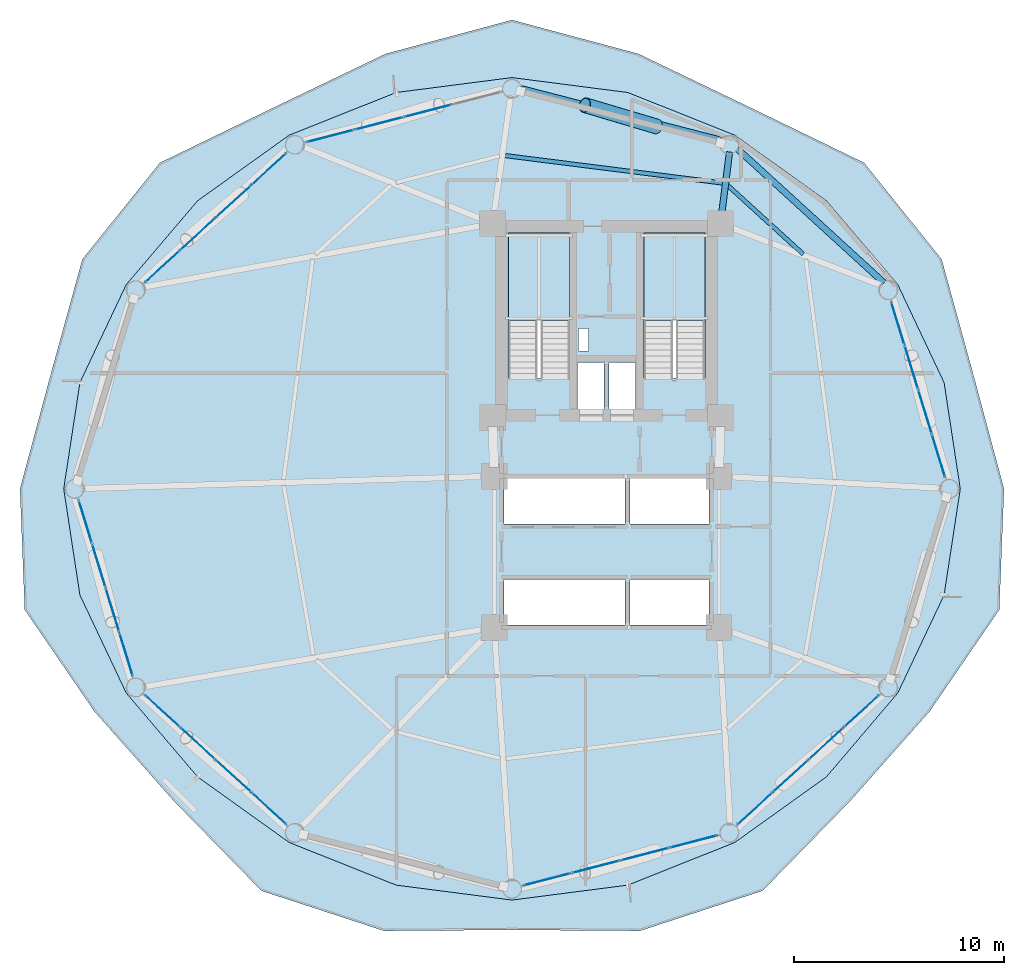
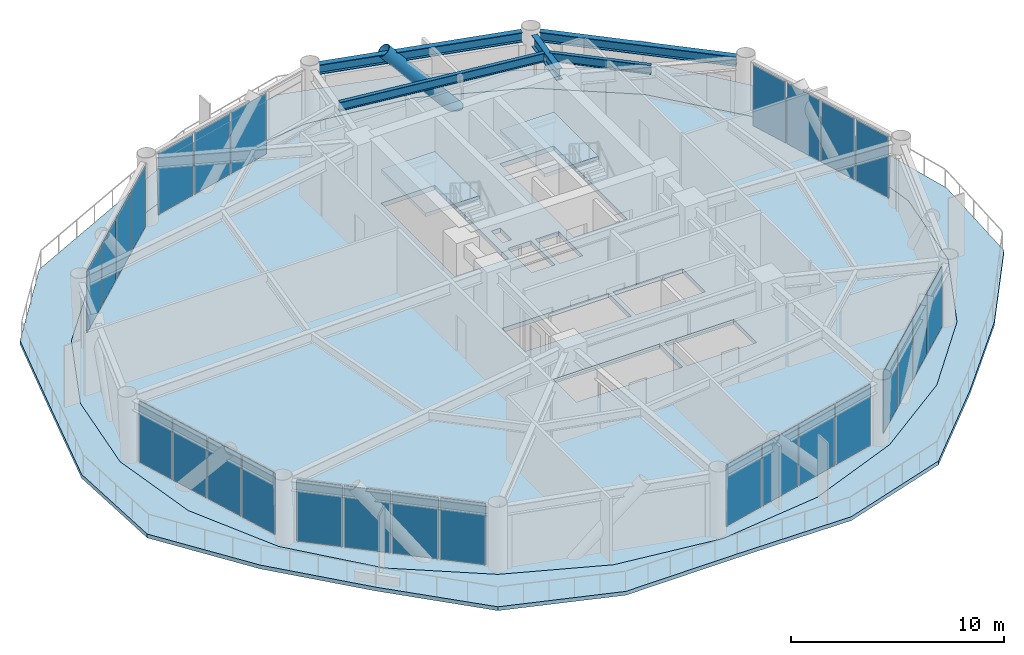
# One storey, part 18 of 24: 27 plates, 5 beams, 4 slabs, 1 member, 9 elements without a shape of their own.
"""IFC4 building model written with IfcOpenShell, lengths in metres."""

import ifcopenshell
import ifcopenshell.guid

model = None  # the IFC model being written
_history = None  # IfcOwnerHistory: only IFC2X3 demands one
_inside = {}  # id of a spatial element -> (the spatial element, [elements in it])
_under = {}  # id of a project, library or spatial element -> (it, [spatial elements below it])
_declared = {}  # id of a project -> (the project, [libraries it declares])
_typed = {}  # id of a type object -> (the type object, [elements of that type])
_made_of = {}  # id of a material, layer set ... -> (it, [elements and type objects made of it])


def new_model(schema):
    """Start an empty IFC model of exactly this schema.

    Asked for "IFC4X3", IfcOpenShell would pick the latest addendum, in which some entities
    have other attributes; the version numbers below select the first issue.
    IFC2X3 requires an IfcOwnerHistory on every rooted entity: one is made here for all.
    """
    global model, _history
    if schema == "IFC4X3":
        model = ifcopenshell.file(schema_version=(4, 3, 0, 0))
    else:
        model = ifcopenshell.file(schema=schema)
    _inside.clear()
    _under.clear()
    _declared.clear()
    _typed.clear()
    _made_of.clear()
    _history = None
    if model.schema == "IFC2X3":
        org = make("IfcOrganization", Name="unknown")
        user = make(
            "IfcPersonAndOrganization",
            ThePerson=make("IfcPerson", FamilyName="unknown"),
            TheOrganization=org,
        )
        app = make(
            "IfcApplication",
            ApplicationDeveloper=org,
            Version="unknown",
            ApplicationFullName="unknown",
            ApplicationIdentifier="unknown",
        )
        _history = make(
            "IfcOwnerHistory",
            OwningUser=user,
            OwningApplication=app,
            ChangeAction="ADDED",
            CreationDate=0,
        )
    return model


def make(cls, **values):
    """One entity of the class cls with the attributes given. An attribute that is None is left unset."""
    return model.create_entity(
        cls, **{name: value for name, value in values.items() if value is not None}
    )


def rooted(cls, **values):
    """An entity with a GlobalId (a new one), such as an element, a storey or a relation."""
    return make(cls, GlobalId=ifcopenshell.guid.new(), OwnerHistory=_history, **values)


def si_unit(unit_type, name, prefix=None):
    """IfcSIUnit, for example si_unit("LENGTHUNIT", "METRE", prefix="MILLI")."""
    return make("IfcSIUnit", UnitType=unit_type, Prefix=prefix, Name=name)


def assignment(units):
    """IfcUnitAssignment: the units of a project."""
    return None if units is None else make("IfcUnitAssignment", Units=units)


def point(xyz):
    """IfcCartesianPoint."""
    return None if xyz is None else make("IfcCartesianPoint", Coordinates=xyz)


def direction(xyz):
    """IfcDirection."""
    return None if xyz is None else make("IfcDirection", DirectionRatios=xyz)


def frame(location, z_axis=None, x_axis=None):
    """IfcAxis2Placement3D, a coordinate frame: its origin and axes. An axis left out is left unset."""
    return make(
        "IfcAxis2Placement3D",
        Location=point(location),
        Axis=direction(z_axis),
        RefDirection=direction(x_axis),
    )


def frame_2d(location, x_axis=None):
    """IfcAxis2Placement2D, a coordinate frame in the plane: its origin and x axis."""
    return make(
        "IfcAxis2Placement2D", Location=point(location), RefDirection=direction(x_axis)
    )


def origin():
    """The frame at (0, 0, 0) with its axes left unset."""
    return frame((0.0, 0.0, 0.0))


def origin_2d():
    """The frame at (0, 0) in the plane with its x axis left unset."""
    return frame_2d((0.0, 0.0))


def place(relative_to, where):
    """IfcLocalPlacement: puts the frame where relative to a parent placement (None: the world)."""
    return make(
        "IfcLocalPlacement", PlacementRelTo=relative_to, RelativePlacement=where
    )


def context(
    kind, dimensions, precision=None, world=None, true_north=None, identifier=None
):
    """IfcGeometricRepresentationContext, for example the 3D "Model" context."""
    return make(
        "IfcGeometricRepresentationContext",
        ContextIdentifier=identifier,
        ContextType=kind,
        CoordinateSpaceDimension=dimensions,
        Precision=precision,
        WorldCoordinateSystem=world,
        TrueNorth=true_north,
    )


def subcontext(parent, identifier, kind, view, scale=None):
    """IfcGeometricRepresentationSubContext, for example "Body" below "Model"."""
    return make(
        "IfcGeometricRepresentationSubContext",
        ContextIdentifier=identifier,
        ContextType=kind,
        ParentContext=parent,
        TargetScale=scale,
        TargetView=view,
    )


def project(units=None, contexts=None):
    """IfcProject with its units and contexts."""
    return rooted(
        "IfcProject",
        Name="project",
        RepresentationContexts=contexts,
        UnitsInContext=assignment(units),
    )


def spatial(cls, under=None, at=None, **own):
    """A site, building, storey or space (cls), placed at a placement, below another one or the project."""
    s = rooted(cls, ObjectPlacement=at, **own)
    if under is not None:
        _under.setdefault(under.id(), (under, []))[1].append(s)
    return s


def polyline(points):
    """IfcPolyline through the points."""
    return make("IfcPolyline", Points=[point(p) for p in points])


def profile(cls, at=None, kind="AREA", **sizes):
    """A parametric profile (cls). Its sizes go by their IFC names, for example OverallWidth=200.0."""
    return make(cls, ProfileType=kind, Position=at, **sizes)


def rectangle(**sizes):
    """IfcRectangleProfileDef."""
    return profile("IfcRectangleProfileDef", **sizes)


def hollow_circle(**sizes):
    """IfcCircleHollowProfileDef."""
    return profile("IfcCircleHollowProfileDef", **sizes)


def i_section(**sizes):
    """IfcIShapeProfileDef."""
    return profile("IfcIShapeProfileDef", **sizes)


def outline(outer, holes=None, kind="AREA"):
    """IfcArbitraryClosedProfileDef: a profile drawn as a closed curve; with holes, ...WithVoids."""
    if holes is None:
        return make("IfcArbitraryClosedProfileDef", ProfileType=kind, OuterCurve=outer)
    return make(
        "IfcArbitraryProfileDefWithVoids",
        ProfileType=kind,
        OuterCurve=outer,
        InnerCurves=holes,
    )


def extrude(swept, where, along, depth):
    """IfcExtrudedAreaSolid: the profile swept, set in the frame where, extruded along a direction by depth."""
    return make(
        "IfcExtrudedAreaSolid",
        SweptArea=swept,
        Position=where,
        ExtrudedDirection=direction(along),
        Depth=depth,
    )


def shape(context_of_items, identifier, shape_type, items):
    """IfcShapeRepresentation: the items that make up one representation, for example the "Body"."""
    return make(
        "IfcShapeRepresentation",
        ContextOfItems=context_of_items,
        RepresentationIdentifier=identifier,
        RepresentationType=shape_type,
        Items=items,
    )


def source(mapping_origin, context_of_items, identifier, shape_type, items):
    """IfcRepresentationMap: a shape defined once, which mapped items show again and again."""
    return make(
        "IfcRepresentationMap",
        MappingOrigin=mapping_origin,
        MappedRepresentation=shape(context_of_items, identifier, shape_type, items),
    )


def transform(
    local_origin,
    x_axis=None,
    y_axis=None,
    z_axis=None,
    scale=None,
    scale2=None,
    scale3=None,
    uniform=True,
):
    """IfcCartesianTransformationOperator3D, or its non-uniform kind. x_axis, y_axis, z_axis: its Axis1, 2, 3."""
    if uniform:
        return make(
            "IfcCartesianTransformationOperator3D",
            Axis1=direction(x_axis),
            Axis2=direction(y_axis),
            LocalOrigin=point(local_origin),
            Scale=scale,
            Axis3=direction(z_axis),
        )
    return make(
        "IfcCartesianTransformationOperator3DnonUniform",
        Axis1=direction(x_axis),
        Axis2=direction(y_axis),
        LocalOrigin=point(local_origin),
        Scale=scale,
        Axis3=direction(z_axis),
        Scale2=scale2,
        Scale3=scale3,
    )


def mapped(mapping_source, mapping_target):
    """IfcMappedItem: shows the shape of a source again, moved by a transform."""
    return make(
        "IfcMappedItem", MappingSource=mapping_source, MappingTarget=mapping_target
    )


def material(Name=None, Category=None):
    """IfcMaterial."""
    return make("IfcMaterial", Name=Name, Category=Category)


def layer(
    of_material, thickness, ventilated=None, Name=None, Category=None, Priority=None
):
    """IfcMaterialLayer: one layer of a wall or slab, of a material (None: an air gap)."""
    return make(
        "IfcMaterialLayer",
        Material=of_material,
        LayerThickness=thickness,
        IsVentilated=ventilated,
        Name=Name,
        Category=Category,
        Priority=Priority,
    )


def layer_set(layers, Name=None):
    """IfcMaterialLayerSet."""
    return make("IfcMaterialLayerSet", MaterialLayers=layers, LayerSetName=Name)


def material_profile(
    of_material, cross_section, Name=None, Category=None, Priority=None
):
    """IfcMaterialProfile: a cross section and its material."""
    return make(
        "IfcMaterialProfile",
        Name=Name,
        Material=of_material,
        Profile=cross_section,
        Priority=Priority,
        Category=Category,
    )


def profile_set(profiles, Name=None, composite=None):
    """IfcMaterialProfileSet."""
    return make(
        "IfcMaterialProfileSet",
        Name=Name,
        MaterialProfiles=profiles,
        CompositeProfile=composite,
    )


def made_of(thing, what):
    """Note that an element or type object is made of a material, layer set ...; save() writes the relation."""
    if what is not None:
        _made_of.setdefault(what.id(), (what, []))[1].append(thing)
    return thing


def type_object(cls, material=None, **own):
    """A type object (cls), such as IfcWallType, which elements share."""
    return made_of(rooted(cls, **own), material)


def type_shapes(of_type, sources):
    """Give a type object the sources (RepresentationMaps) that its elements show as mapped items."""
    of_type.RepresentationMaps = sources


def element(
    cls,
    number,
    at=None,
    inside=None,
    cuts=None,
    type_object=None,
    material=None,
    context=None,
    identifier="Body",
    shape_type=None,
    held_by="IfcProductDefinitionShape",
    body=None,
    shapes=None,
    **own,
):
    """One element of the class cls, such as IfcWall. Its Tag is "e" and its number.

    at: its placement. inside: the storey or other place that contains it. cuts: it is an
    opening in that element (IfcRelVoidsElement). A single representation is given by context,
    identifier, shape_type and body (its items); several are given by shapes. held_by: the class
    of the entity that holds the representations. save() writes the other relations.
    """
    e = rooted(cls, Tag="e%d" % number, ObjectPlacement=at, **own)
    if body is not None:
        shapes = [shape(context, identifier, shape_type, body)]
    if shapes is not None:
        e.Representation = make(held_by, Representations=shapes)
    if inside is not None:
        _inside.setdefault(inside.id(), (inside, []))[1].append(e)
    if cuts is not None:
        rooted(
            "IfcRelVoidsElement", RelatingBuildingElement=cuts, RelatedOpeningElement=e
        )
    if type_object is not None:
        _typed.setdefault(type_object.id(), (type_object, []))[1].append(e)
    return made_of(e, material)


def aggregate(whole, parts):
    """IfcRelAggregates: a whole, such as a stair, and the parts it consists of."""
    return rooted("IfcRelAggregates", RelatingObject=whole, RelatedObjects=parts)


def save(model, path):
    """Write the relations noted so far, then the file.

    IfcRelAggregates (storeys below a building ...), IfcRelContainedInSpatialStructure (elements
    in a storey), IfcRelDefinesByType, IfcRelAssociatesMaterial and IfcRelDeclares: one each for
    every whole, place, type object, material and project.
    """
    for whole, parts in _under.values():
        aggregate(whole, parts)
    for where, things in _inside.values():
        rooted(
            "IfcRelContainedInSpatialStructure",
            RelatedElements=things,
            RelatingStructure=where,
        )
    for kind, things in _typed.values():
        rooted("IfcRelDefinesByType", RelatedObjects=things, RelatingType=kind)
    for what, things in _made_of.values():
        rooted("IfcRelAssociatesMaterial", RelatedObjects=things, RelatingMaterial=what)
    for by, libraries in _declared.values():
        rooted("IfcRelDeclares", RelatingContext=by, RelatedDefinitions=libraries)
    model.write(path)


model = new_model("IFC4")

# Units and contexts
model_context = context("Model", 3, precision=1e-05, world=origin(), true_north=direction((0.0, 1.0)))
body_context = subcontext(model_context, "Body", "Model", "MODEL_VIEW")
ifc_project = project(units=[si_unit("LENGTHUNIT", "METRE"), si_unit("AREAUNIT", "SQUARE_METRE"), si_unit("VOLUMEUNIT", "CUBIC_METRE"), si_unit("PLANEANGLEUNIT", "RADIAN"), si_unit("MASSUNIT", "GRAM", prefix="KILO")], contexts=[model_context])

# Site, building, storey
site_placement = place(None, origin())
site = spatial("IfcSite", under=ifc_project, at=site_placement, CompositionType="ELEMENT")
building_placement = place(site_placement, origin())
building = spatial("IfcBuilding", under=site, at=building_placement, Name="Varnakorn Sky Granary", CompositionType="ELEMENT")
storey_placement = place(building_placement, frame((0.0, 0.0, 43.199951171875)))
storey = spatial("IfcBuildingStorey", under=building, at=storey_placement, Name="L10", CompositionType="ELEMENT", Elevation=43.199951171875)

# Beams
ifc_material_1 = material(Name="Steel S355JR", Category="steel")
ifc_material_profile_1 = material_profile(ifc_material_1, i_section(OverallWidth=0.300048828125, OverallDepth=0.64990234375, WebThickness=0.01611328125, FlangeThickness=0.031005859375, at=origin_2d()), Name="HE 650 B")
ifc_profile_set_1 = profile_set([ifc_material_profile_1], Name="Steel S355JR")
beam_type_1 = type_object("IfcBeamType", Name="BM-RAD-Z1", PredefinedType="BEAM", material=ifc_profile_set_1)
beam_1_placement = place(storey_placement, frame((8.472900390625, 13.03662109375, 3.31494140625), z_axis=(0.125618505382, 0.992078621434, 0.0), x_axis=(-0.992078621434, 0.125618505382, 0.0)))
element("IfcBeam", 1, at=beam_1_placement, inside=storey, type_object=beam_type_1, Name="Radial Floor Girder RG03 L10", PredefinedType="BEAM", context=body_context, shape_type="SweptSolid", body=[
    extrude(i_section(OverallWidth=0.300048828125, OverallDepth=0.64990234375, WebThickness=0.01611328125, FlangeThickness=0.031005859375, at=origin_2d()), origin(), (0.0, 0.0, 1.0), 3.016357421875),
])
ifc_material_profile_2 = material_profile(ifc_material_1, i_section(OverallWidth=0.199951171875, OverallDepth=0.5, WebThickness=0.01025390625, FlangeThickness=0.01611328125, at=origin_2d()), Name="IPE 500")
ifc_profile_set_2 = profile_set([ifc_material_profile_2], Name="Steel S355JR")
beam_type_2 = type_object("IfcBeamType", Name="BM-SEC-Z1", PredefinedType="BEAM", material=ifc_profile_set_2)
beam_2_placement = place(storey_placement, frame((12.359375, 11.162109375, 3.39013671875), z_axis=(-0.738962460364, 0.673746600862, 0.0), x_axis=(-0.673746600862, -0.738962460364, 0.0)))
element("IfcBeam", 2, at=beam_2_placement, inside=storey, type_object=beam_type_2, Name="Secondary Floor Chord Beam MSB02 L10", PredefinedType="BEAM", context=body_context, shape_type="SweptSolid", body=[
    extrude(i_section(OverallWidth=0.199951171875, OverallDepth=0.5, WebThickness=0.01025390625, FlangeThickness=0.01611328125, at=origin_2d()), origin(), (0.0, 0.0, 1.0), 4.86279296875),
])
beam_3_placement = place(storey_placement, frame((8.5234375, 14.55029296875, 3.39013671875), z_axis=(-0.992122228719, 0.125273633628, 0.0), x_axis=(-0.125273633628, -0.992122228719, 0.0)))
element("IfcBeam", 3, at=beam_3_placement, inside=storey, type_object=beam_type_2, Name="Secondary Floor Chord Beam MSB03 L10", PredefinedType="BEAM", context=body_context, shape_type="SweptSolid", body=[
    extrude(i_section(OverallWidth=0.199951171875, OverallDepth=0.5, WebThickness=0.01025390625, FlangeThickness=0.01611328125, at=origin_2d()), origin(), (0.0, 0.0, 1.0), 10.42822265625),
])
ifc_material_profile_3 = material_profile(ifc_material_1, i_section(OverallWidth=0.300048828125, OverallDepth=0.550048828125, WebThickness=0.014892578125, FlangeThickness=0.029052734375, at=origin_2d()), Name="HE 550 B")
ifc_profile_set_3 = profile_set([ifc_material_profile_3], Name="Steel S355JR")
beam_type_3 = type_object("IfcBeamType", Name="BM-SPD-Z1", PredefinedType="SPANDREL", material=ifc_profile_set_3)
beam_4_placement = place(storey_placement, frame((16.199951171875, 9.8056640625, 3.364990234375), z_axis=(-0.738303405407, 0.674468740243, 0.0), x_axis=(-0.674468740243, -0.738303405407, 0.0)))
element("IfcBeam", 4, at=beam_4_placement, inside=storey, type_object=beam_type_3, Name="Perimeter Spandrel Ring Beam RB02 L10", PredefinedType="SPANDREL", context=body_context, shape_type="SweptSolid", body=[
    extrude(i_section(OverallWidth=0.300048828125, OverallDepth=0.550048828125, WebThickness=0.014892578125, FlangeThickness=0.029052734375, at=origin_2d()), origin(), (0.0, 0.0, 1.0), 9.435302734375),
])
beam_5_placement = place(storey_placement, frame((8.4794921875, 16.577880859375, 3.364990234375), z_axis=(-0.968350691082, 0.249593547756, 0.0), x_axis=(-0.249593547756, -0.968350691082, 0.0)))
element("IfcBeam", 5, at=beam_5_placement, inside=storey, type_object=beam_type_3, Name="Perimeter Spandrel Ring Beam RB03 L10", PredefinedType="SPANDREL", context=body_context, shape_type="SweptSolid", body=[
    extrude(i_section(OverallWidth=0.300048828125, OverallDepth=0.550048828125, WebThickness=0.014892578125, FlangeThickness=0.029052734375, at=origin_2d()), origin(), (0.0, 0.0, 1.0), 9.86376953125),
])

# Member
ifc_material_2 = material(Name="Steel S460M", Category="steel")
ifc_material_profile_4 = material_profile(ifc_material_2, hollow_circle(Radius=0.35546875, WallThickness=0.02490234375, at=origin_2d()), Name="CHS 711x25")
ifc_profile_set_4 = profile_set([ifc_material_profile_4], Name="Steel S460M")
member_type = type_object("IfcMemberType", Name="MB-DIAG-T0", PredefinedType="BRACE", material=ifc_profile_set_4)
member_placement = place(storey_placement, frame((5.38232421875, 17.2421875, -0.1298828125), z_axis=(-0.644523953078, 0.191420847867, 0.740234377012), x_axis=(-0.284704627072, -0.958615290575, 0.0)))
element("IfcMember", 6, at=member_placement, inside=storey, type_object=member_type, Name="Perimeter CHS Diagrid Brace DG03 L10", PredefinedType="BRACE", context=body_context, shape_type="SweptSolid", body=[
    extrude(hollow_circle(Radius=0.35546875, WallThickness=0.02490234375, at=origin_2d()), origin(), (0.0, 0.0, 1.0), 5.29541015625),
])

# Stair, slab
ifc_material_3 = material(Name="Concrete C40/50", Category="concrete")
stair_type = type_object("IfcStairType", Name="ST-MAIN-ASSEMBLY", PredefinedType="HALF_TURN_STAIR", material=ifc_material_3)
stair_1_placement = place(storey_placement, origin())
stair_1 = element("IfcStair", 7, at=stair_1_placement, inside=storey, type_object=stair_type, Name="L10 Protected Exit Stair ST-1", PredefinedType="HALF_TURN_STAIR")
ifc_layer_1 = layer(ifc_material_3, 0.199951171875, Name="Concrete C40/50")
ifc_layer_set_1 = layer_set([ifc_layer_1], Name="Concrete C40/50")
slab_type_1 = type_object("IfcSlabType", Name="ST-MAIN-LAND", PredefinedType="LANDING", material=ifc_layer_set_1)
slab_1_placement = place(storey_placement, frame((0.0, 0.0, 1.75)))
slab_1 = element("IfcSlab", 8, at=slab_1_placement, type_object=slab_type_1, Name="ST-1 landing 1", PredefinedType="LANDING", context=body_context, shape_type="SweptSolid", body=[
    extrude(outline(polyline([(1.239990234375, 8.0), (1.239990234375, 12.179931640625), (-1.669921875, 12.179931640625), (-1.669921875, 8.0), (1.239990234375, 8.0)])), origin(), (0.0, 0.0, 1.0), 0.199951171875),
])
aggregate(stair_1, [slab_1])

stair_2_placement = place(storey_placement, origin())
stair_2 = element("IfcStair", 9, at=stair_2_placement, inside=storey, type_object=stair_type, Name="L10 Protected Exit Stair ST-2", PredefinedType="HALF_TURN_STAIR")
slab_2_placement = place(storey_placement, frame((0.0, 0.0, 1.75)))
slab_2 = element("IfcSlab", 10, at=slab_2_placement, type_object=slab_type_1, Name="ST-2 landing 1", PredefinedType="LANDING", context=body_context, shape_type="SweptSolid", body=[
    extrude(outline(polyline([(7.679931640625, 8.0), (7.679931640625, 12.179931640625), (4.77001953125, 12.179931640625), (4.77001953125, 8.0), (7.679931640625, 8.0)])), origin(), (0.0, 0.0, 1.0), 0.199951171875),
])
aggregate(stair_2, [slab_2])

# Slabs
ifc_material_4 = material(Name="Precast concrete C40/50", Category="concrete")
ifc_layer_2 = layer(ifc_material_4, 0.219970703125, Name="Precast concrete C40/50")
ifc_layer_set_2 = layer_set([ifc_layer_2], Name="Precast concrete C40/50")
slab_type_2 = type_object("IfcSlabType", Name="ST-SL-DECK-220", PredefinedType="FLOOR", material=ifc_layer_set_2)
slab_3_placement = place(storey_placement, frame((0.0, 0.0, -0.219970703125)))
element("IfcSlab", 11, at=slab_3_placement, inside=storey, type_object=slab_type_2, Name="Wavy Sky-Farm Balcony Deck L10", PredefinedType="FLOOR", context=body_context, shape_type="SweptSolid", body=[
    extrude(outline(polyline([(21.912109375, 0.0), (20.455078125, 5.426513671875), (18.9443359375, 10.922119140625), (15.257568359375, 15.510986328125), (9.852783203125, 18.13671875), (4.503662109375, 20.702880859375), (-1.5, 22.30908203125), (-7.503662109375, 20.702880859375), (-12.852783203125, 18.13671875), (-18.257568359375, 15.510986328125), (-21.9443359375, 10.922119140625), (-23.455078125, 5.426513671875), (-24.912109375, 0.0), (-24.6865234375, -5.756591796875), (-21.372802734375, -10.592041015625), (-17.597412109375, -14.850830078125), (-13.42431640625, -19.126708984375), (-7.592041015625, -21.032958984375), (-1.5, -20.989013671875), (4.592041015625, -21.032958984375), (10.42431640625, -19.126708984375), (14.597412109375, -14.850830078125), (18.372802734375, -10.592041015625), (21.6865234375, -5.756591796875), (21.912109375, 0.0)]), holes=[polyline([(19.83203125, 0.0), (19.061767578125, 5.05322265625), (16.857177734375, 9.717041015625), (13.456787109375, 13.710205078125), (9.098388671875, 16.830322265625), (4.009521484375, 18.858642578125), (-1.5, 19.569091796875), (-7.009521484375, 18.858642578125), (-12.098388671875, 16.830322265625), (-16.456787109375, 13.710205078125), (-19.857177734375, 9.717041015625), (-22.061767578125, 5.05322265625), (-22.83203125, 0.0), (-22.061767578125, -5.05322265625), (-19.857177734375, -9.717041015625), (-16.456787109375, -13.710205078125), (-12.098388671875, -16.830322265625), (-7.009521484375, -18.858642578125), (-1.5, -19.569091796875), (4.009521484375, -18.858642578125), (9.098388671875, -16.830322265625), (13.456787109375, -13.710205078125), (16.857177734375, -9.717041015625), (19.061767578125, -5.05322265625), (19.83203125, 0.0)])]), origin(), (0.0, 0.0, 1.0), 0.219970703125),
])
ifc_material_5 = material(Name="Concrete C50/60", Category="concrete")
ifc_layer_3 = layer(ifc_material_5, 0.260009765625, Name="Concrete C50/60")
ifc_layer_set_3 = layer_set([ifc_layer_3], Name="Concrete C50/60")
slab_type_3 = type_object("IfcSlabType", Name="ST-SL-TWR-260", PredefinedType="FLOOR", material=ifc_layer_set_3)
slab_4_placement = place(storey_placement, frame((0.0, 0.0, -0.260009765625)))
element("IfcSlab", 12, at=slab_4_placement, inside=storey, type_object=slab_type_3, Name="Level L10 Structural Floor Slab", PredefinedType="FLOOR", context=body_context, shape_type="SweptSolid", body=[
    extrude(outline(polyline([(19.83203125, 0.0), (19.061767578125, 5.05322265625), (16.857177734375, 9.717041015625), (13.456787109375, 13.710205078125), (9.098388671875, 16.830322265625), (4.009521484375, 18.858642578125), (-1.5, 19.569091796875), (-7.009521484375, 18.858642578125), (-12.098388671875, 16.830322265625), (-16.456787109375, 13.710205078125), (-19.857177734375, 9.717041015625), (-22.061767578125, 5.05322265625), (-22.83203125, 0.0), (-22.061767578125, -5.05322265625), (-19.857177734375, -9.717041015625), (-16.456787109375, -13.710205078125), (-12.098388671875, -16.830322265625), (-7.009521484375, -18.858642578125), (-1.5, -19.569091796875), (4.009521484375, -18.858642578125), (9.098388671875, -16.830322265625), (13.456787109375, -13.710205078125), (16.857177734375, -9.717041015625), (19.061767578125, -5.05322265625), (19.83203125, 0.0)]), holes=[polyline([(1.239990234375, 5.27490234375), (1.239990234375, 12.179931640625), (-1.669921875, 12.179931640625), (-1.669921875, 5.27490234375), (1.239990234375, 5.27490234375)]), polyline([(7.679931640625, 5.27490234375), (7.679931640625, 12.179931640625), (4.77001953125, 12.179931640625), (4.77001953125, 5.27490234375), (7.679931640625, 5.27490234375)]), polyline([(1.659912109375, 6.550048828125), (2.14990234375, 6.550048828125), (2.14990234375, 7.6201171875), (1.659912109375, 7.6201171875), (1.659912109375, 6.550048828125)]), polyline([(1.6201171875, 3.739990234375), (2.8798828125, 3.739990234375), (2.8798828125, 6.010009765625), (1.6201171875, 6.010009765625), (1.6201171875, 3.739990234375)]), polyline([(3.1201171875, 3.739990234375), (4.3798828125, 3.739990234375), (4.3798828125, 6.010009765625), (3.1201171875, 6.010009765625), (3.1201171875, 3.739990234375)]), polyline([(-1.8798828125, -1.679931640625), (3.8798828125, -1.679931640625), (3.8798828125, 0.47998046875), (-1.8798828125, 0.47998046875), (-1.8798828125, -1.679931640625)]), polyline([(4.1201171875, -1.679931640625), (7.8798828125, -1.679931640625), (7.8798828125, 0.47998046875), (4.1201171875, 0.47998046875), (4.1201171875, -1.679931640625)]), polyline([(-1.8798828125, -6.47998046875), (3.8798828125, -6.47998046875), (3.8798828125, -4.320068359375), (-1.8798828125, -4.320068359375), (-1.8798828125, -6.47998046875)]), polyline([(4.1201171875, -6.47998046875), (7.8798828125, -6.47998046875), (7.8798828125, -4.320068359375), (4.1201171875, -4.320068359375), (4.1201171875, -6.47998046875)])]), origin(), (0.0, 0.0, 1.0), 0.260009765625),
])

# Curtain wall, plates
ifc_material_6 = material(Name="Anodised Bronze Aluminium Alloy 6063-T6", Category="aluminium")
ifc_layer_4 = layer(ifc_material_6, 0.18994140625, Name="Anodised Bronze Aluminium Alloy 6063-T6")
ifc_layer_set_4 = layer_set([ifc_layer_4], Name="Anodised Bronze Aluminium Alloy 6063-T6")
curtain_wall_type = type_object("IfcCurtainWallType", Name="CW-FRM-1", PredefinedType="USERDEFINED", material=ifc_layer_set_4)
curtain_wall_1_placement = place(storey_placement, origin())
curtain_wall_1 = element("IfcCurtainWall", 13, at=curtain_wall_1_placement, inside=storey, type_object=curtain_wall_type, Name="Unitised Curtain Wall CW3 CW-L10-B01", ObjectType="CURTAIN WALL", PredefinedType="USERDEFINED")
ifc_material_7 = material(Name="Low-E Tinted Laminated Glass", Category="glass")
ifc_layer_5 = layer(ifc_material_7, 0.028076171875, Name="Low-E Tinted Laminated Glass")
ifc_layer_set_5 = layer_set([ifc_layer_5], Name="Low-E Tinted Laminated Glass")
plate_type = type_object("IfcPlateType", Name="CW-FRM-1-PNL", PredefinedType="CURTAIN_PANEL")
shared_shape_1 = source(origin(), body_context, "Body", "SweptSolid", [
    extrude(rectangle(XDim=2.10595703125, YDim=0.028076171875, at=origin_2d()), origin(), (0.0, 0.0, 1.0), 3.5),
])
plate_1_placement = place(storey_placement, frame((16.862548828125, 7.874267578125, 0.070068359375), z_axis=(0.0, 0.0, 1.0), x_axis=(0.293723498881, -0.955890425836, 0.0)))
plate_1 = element("IfcPlate", 14, at=plate_1_placement, type_object=plate_type, material=ifc_layer_set_5, Name="CW3 vision glazing unit 1.1", PredefinedType="CURTAIN_PANEL", context=body_context, shape_type="MappedRepresentation", body=[
    mapped(shared_shape_1, transform((0.0, 0.0, 0.0), x_axis=(1.0, 0.0, 0.0), y_axis=(0.0, 1.0, 0.0), z_axis=(0.0, 0.0, 1.0), scale=1.0)),
])
plate_2_placement = place(storey_placement, frame((18.80029296875, 1.567626953125, 0.070068359375), z_axis=(0.0, 0.0, 1.0), x_axis=(0.293723498881, -0.955890425836, 0.0)))
plate_2 = element("IfcPlate", 15, at=plate_2_placement, type_object=plate_type, material=ifc_layer_set_5, Name="CW3 vision glazing unit 4.1", PredefinedType="CURTAIN_PANEL", context=body_context, shape_type="MappedRepresentation", body=[
    mapped(shared_shape_1, transform((0.0, 0.0, 0.0), x_axis=(1.0, 0.0, 0.0), y_axis=(0.0, 1.0, 0.0), z_axis=(0.0, 0.0, 1.0), scale=1.0)),
])

curtain_wall_2_placement = place(storey_placement, origin())
curtain_wall_2 = element("IfcCurtainWall", 16, at=curtain_wall_2_placement, inside=storey, type_object=curtain_wall_type, Name="Unitised Curtain Wall CW3 CW-L10-B07", ObjectType="CURTAIN WALL", PredefinedType="USERDEFINED")
plate_3_placement = place(storey_placement, frame((-19.862548828125, -7.874267578125, 0.070068359375), z_axis=(0.0, 0.0, 1.0), x_axis=(-0.293723498881, 0.955890425836, 0.0)))
plate_3 = element("IfcPlate", 17, at=plate_3_placement, type_object=plate_type, material=ifc_layer_set_5, Name="CW3 vision glazing unit 1.1", PredefinedType="CURTAIN_PANEL", context=body_context, shape_type="MappedRepresentation", body=[
    mapped(shared_shape_1, transform((0.0, 0.0, 0.0), x_axis=(1.0, 0.0, 0.0), y_axis=(0.0, 1.0, 0.0), z_axis=(0.0, 0.0, 1.0), scale=1.0)),
])
plate_4_placement = place(storey_placement, frame((-21.80029296875, -1.567626953125, 0.070068359375), z_axis=(0.0, 0.0, 1.0), x_axis=(-0.293723498881, 0.955890425836, 0.0)))
plate_4 = element("IfcPlate", 18, at=plate_4_placement, type_object=plate_type, material=ifc_layer_set_5, Name="CW3 vision glazing unit 4.1", PredefinedType="CURTAIN_PANEL", context=body_context, shape_type="MappedRepresentation", body=[
    mapped(shared_shape_1, transform((0.0, 0.0, 0.0), x_axis=(1.0, 0.0, 0.0), y_axis=(0.0, 1.0, 0.0), z_axis=(0.0, 0.0, 1.0), scale=1.0)),
])

# Plate
ifc_material_8 = material(Name="Opaque Insulated Aluminium Shadow-Box Unit", Category="aluminium")
ifc_layer_6 = layer(ifc_material_8, 0.028076171875, Name="Opaque Insulated Aluminium Shadow-Box Unit")
ifc_layer_set_6 = layer_set([ifc_layer_6], Name="Opaque Insulated Aluminium Shadow-Box Unit")
shared_shape_2 = source(origin(), body_context, "Body", "SweptSolid", [
    extrude(rectangle(XDim=2.140869140625, YDim=0.028076171875, at=origin_2d()), origin(), (0.0, 0.0, 1.0), 3.5),
])
plate_5_placement = place(storey_placement, frame((17.506591796875, 5.777587890625, 0.070068359375), z_axis=(0.0, 0.0, 1.0), x_axis=(0.293723498881, -0.955890425836, 0.0)))
plate_5 = element("IfcPlate", 19, at=plate_5_placement, type_object=plate_type, material=ifc_layer_set_6, Name="CW3 opaque insulated shadow-box unit 2.1", PredefinedType="CURTAIN_PANEL", context=body_context, shape_type="MappedRepresentation", body=[
    mapped(shared_shape_2, transform((0.0, 0.0, 0.0), x_axis=(1.0, 0.0, 0.0), y_axis=(0.0, 1.0, 0.0), z_axis=(0.0, 0.0, 1.0), scale=1.0)),
])

plate_6_placement = place(storey_placement, frame((18.156005859375, 3.664306640625, 0.070068359375), z_axis=(0.0, 0.0, 1.0), x_axis=(0.293723498881, -0.955890425836, 0.0)))
plate_6 = element("IfcPlate", 20, at=plate_6_placement, type_object=plate_type, material=ifc_layer_set_6, Name="CW3 opaque insulated shadow-box unit 3.1", PredefinedType="CURTAIN_PANEL", context=body_context, shape_type="MappedRepresentation", body=[
    mapped(shared_shape_2, transform((0.0, 0.0, 0.0), x_axis=(1.0, 0.0, 0.0), y_axis=(0.0, 1.0, 0.0), z_axis=(0.0, 0.0, 1.0), scale=1.0)),
])

aggregate(curtain_wall_1, [plate_1, plate_5, plate_6, plate_2])

plate_7_placement = place(storey_placement, frame((-20.506591796875, -5.777587890625, 0.070068359375), z_axis=(0.0, 0.0, 1.0), x_axis=(-0.293723498881, 0.955890425836, 0.0)))
plate_7 = element("IfcPlate", 21, at=plate_7_placement, type_object=plate_type, material=ifc_layer_set_6, Name="CW3 opaque insulated shadow-box unit 2.1", PredefinedType="CURTAIN_PANEL", context=body_context, shape_type="MappedRepresentation", body=[
    mapped(shared_shape_2, transform((0.0, 0.0, 0.0), x_axis=(1.0, 0.0, 0.0), y_axis=(0.0, 1.0, 0.0), z_axis=(0.0, 0.0, 1.0), scale=1.0)),
])

plate_8_placement = place(storey_placement, frame((-21.156005859375, -3.664306640625, 0.070068359375), z_axis=(0.0, 0.0, 1.0), x_axis=(-0.293723498881, 0.955890425836, 0.0)))
plate_8 = element("IfcPlate", 22, at=plate_8_placement, type_object=plate_type, material=ifc_layer_set_6, Name="CW3 opaque insulated shadow-box unit 3.1", PredefinedType="CURTAIN_PANEL", context=body_context, shape_type="MappedRepresentation", body=[
    mapped(shared_shape_2, transform((0.0, 0.0, 0.0), x_axis=(1.0, 0.0, 0.0), y_axis=(0.0, 1.0, 0.0), z_axis=(0.0, 0.0, 1.0), scale=1.0)),
])

aggregate(curtain_wall_2, [plate_3, plate_7, plate_8, plate_4])

# Curtain wall, plate
curtain_wall_3_placement = place(storey_placement, origin())
curtain_wall_3 = element("IfcCurtainWall", 23, at=curtain_wall_3_placement, inside=storey, type_object=curtain_wall_type, Name="Unitised Curtain Wall CW3 CW-L10-B04", ObjectType="CURTAIN WALL", PredefinedType="USERDEFINED")
shared_shape_3 = source(origin(), body_context, "Body", "SweptSolid", [
    extrude(rectangle(XDim=2.302001953125, YDim=0.028076171875, at=origin_2d()), origin(), (0.0, 0.0, 1.0), 3.5),
])
plate_9_placement = place(storey_placement, frame((-10.140625, 16.788330078125, 0.070068359375), z_axis=(0.0, 0.0, 1.0), x_axis=(0.968256081188, 0.249960319337, 0.0)))
plate_9 = element("IfcPlate", 24, at=plate_9_placement, type_object=plate_type, material=ifc_layer_set_5, Name="CW3 vision glazing unit 1.1", PredefinedType="CURTAIN_PANEL", context=body_context, shape_type="MappedRepresentation", body=[
    mapped(shared_shape_3, transform((0.0, 0.0, 0.0), x_axis=(1.0, 0.0, 0.0), y_axis=(0.0, 1.0, 0.0), z_axis=(0.0, 0.0, 1.0), scale=1.0)),
])

# Curtain wall, plates
curtain_wall_4_placement = place(storey_placement, origin())
curtain_wall_4 = element("IfcCurtainWall", 25, at=curtain_wall_4_placement, inside=storey, type_object=curtain_wall_type, Name="Unitised Curtain Wall CW3 CW-L10-B10", ObjectType="CURTAIN WALL", PredefinedType="USERDEFINED")
plate_10_placement = place(storey_placement, frame((7.140625, -16.788330078125, 0.070068359375), z_axis=(0.0, 0.0, 1.0), x_axis=(-0.968256081188, -0.249960319337, 0.0)))
plate_10 = element("IfcPlate", 26, at=plate_10_placement, type_object=plate_type, material=ifc_layer_set_5, Name="CW3 vision glazing unit 1.1", PredefinedType="CURTAIN_PANEL", context=body_context, shape_type="MappedRepresentation", body=[
    mapped(shared_shape_3, transform((0.0, 0.0, 0.0), x_axis=(1.0, 0.0, 0.0), y_axis=(0.0, 1.0, 0.0), z_axis=(0.0, 0.0, 1.0), scale=1.0)),
])
plate_11_placement = place(storey_placement, frame((0.182861328125, -18.584716796875, 0.070068359375), z_axis=(0.0, 0.0, 1.0), x_axis=(-0.968256081188, -0.249960319337, 0.0)))
plate_11 = element("IfcPlate", 27, at=plate_11_placement, type_object=plate_type, material=ifc_layer_set_5, Name="CW3 vision glazing unit 4.1", PredefinedType="CURTAIN_PANEL", context=body_context, shape_type="MappedRepresentation", body=[
    mapped(shared_shape_3, transform((0.0, 0.0, 0.0), x_axis=(1.0, 0.0, 0.0), y_axis=(0.0, 1.0, 0.0), z_axis=(0.0, 0.0, 1.0), scale=1.0)),
])

# Plate
shared_shape_4 = source(origin(), body_context, "Body", "SweptSolid", [
    extrude(rectangle(XDim=2.3369140625, YDim=0.028076171875, at=origin_2d()), origin(), (0.0, 0.0, 1.0), 3.5),
])
plate_12_placement = place(storey_placement, frame((-7.8271484375, 17.3857421875, 0.070068359375), z_axis=(0.0, 0.0, 1.0), x_axis=(0.968256081188, 0.249960319337, 0.0)))
plate_12 = element("IfcPlate", 28, at=plate_12_placement, type_object=plate_type, material=ifc_layer_set_6, Name="CW3 opaque insulated shadow-box unit 2.1", PredefinedType="CURTAIN_PANEL", context=body_context, shape_type="MappedRepresentation", body=[
    mapped(shared_shape_4, transform((0.0, 0.0, 0.0), x_axis=(1.0, 0.0, 0.0), y_axis=(0.0, 1.0, 0.0), z_axis=(0.0, 0.0, 1.0), scale=1.0)),
])

plate_13_placement = place(storey_placement, frame((-5.49658203125, 17.9873046875, 0.070068359375), z_axis=(0.0, 0.0, 1.0), x_axis=(0.968256081188, 0.249960319337, 0.0)))
plate_13 = element("IfcPlate", 29, at=plate_13_placement, type_object=plate_type, material=ifc_layer_set_6, Name="CW3 opaque insulated shadow-box unit 3.1", PredefinedType="CURTAIN_PANEL", context=body_context, shape_type="MappedRepresentation", body=[
    mapped(shared_shape_4, transform((0.0, 0.0, 0.0), x_axis=(1.0, 0.0, 0.0), y_axis=(0.0, 1.0, 0.0), z_axis=(0.0, 0.0, 1.0), scale=1.0)),
])

aggregate(curtain_wall_3, [plate_9, plate_12, plate_13])

plate_14_placement = place(storey_placement, frame((4.8271484375, -17.3857421875, 0.070068359375), z_axis=(0.0, 0.0, 1.0), x_axis=(-0.968256081188, -0.249960319337, 0.0)))
plate_14 = element("IfcPlate", 30, at=plate_14_placement, type_object=plate_type, material=ifc_layer_set_6, Name="CW3 opaque insulated shadow-box unit 2.1", PredefinedType="CURTAIN_PANEL", context=body_context, shape_type="MappedRepresentation", body=[
    mapped(shared_shape_4, transform((0.0, 0.0, 0.0), x_axis=(1.0, 0.0, 0.0), y_axis=(0.0, 1.0, 0.0), z_axis=(0.0, 0.0, 1.0), scale=1.0)),
])

plate_15_placement = place(storey_placement, frame((2.49658203125, -17.9873046875, 0.070068359375), z_axis=(0.0, 0.0, 1.0), x_axis=(-0.968256081188, -0.249960319337, 0.0)))
plate_15 = element("IfcPlate", 31, at=plate_15_placement, type_object=plate_type, material=ifc_layer_set_6, Name="CW3 opaque insulated shadow-box unit 3.1", PredefinedType="CURTAIN_PANEL", context=body_context, shape_type="MappedRepresentation", body=[
    mapped(shared_shape_4, transform((0.0, 0.0, 0.0), x_axis=(1.0, 0.0, 0.0), y_axis=(0.0, 1.0, 0.0), z_axis=(0.0, 0.0, 1.0), scale=1.0)),
])

aggregate(curtain_wall_4, [plate_10, plate_14, plate_15, plate_11])

# Curtain wall, plates
curtain_wall_5_placement = place(storey_placement, origin())
curtain_wall_5 = element("IfcCurtainWall", 32, at=curtain_wall_5_placement, inside=storey, type_object=curtain_wall_type, Name="Unitised Curtain Wall CW3 CW-L10-B05", ObjectType="CURTAIN WALL", PredefinedType="USERDEFINED")
shared_shape_5 = source(origin(), body_context, "Body", "SweptSolid", [
    extrude(rectangle(XDim=2.19677734375, YDim=0.028076171875, at=origin_2d()), origin(), (0.0, 0.0, 1.0), 3.5),
])
plate_16_placement = place(storey_placement, frame((-18.13720703125, 10.57958984375, 0.070068359375), z_axis=(0.0, 0.0, 1.0), x_axis=(0.737906101821, 0.674903389306, 0.0)))
plate_16 = element("IfcPlate", 33, at=plate_16_placement, type_object=plate_type, material=ifc_layer_set_5, Name="CW3 vision glazing unit 1.1", PredefinedType="CURTAIN_PANEL", context=body_context, shape_type="MappedRepresentation", body=[
    mapped(shared_shape_5, transform((0.0, 0.0, 0.0), x_axis=(1.0, 0.0, 0.0), y_axis=(0.0, 1.0, 0.0), z_axis=(0.0, 0.0, 1.0), scale=1.0)),
])
plate_17_placement = place(storey_placement, frame((-13.067138671875, 15.216552734375, 0.070068359375), z_axis=(0.0, 0.0, 1.0), x_axis=(0.737906101821, 0.674903389306, 0.0)))
plate_17 = element("IfcPlate", 34, at=plate_17_placement, type_object=plate_type, material=ifc_layer_set_5, Name="CW3 vision glazing unit 4.1", PredefinedType="CURTAIN_PANEL", context=body_context, shape_type="MappedRepresentation", body=[
    mapped(shared_shape_5, transform((0.0, 0.0, 0.0), x_axis=(1.0, 0.0, 0.0), y_axis=(0.0, 1.0, 0.0), z_axis=(0.0, 0.0, 1.0), scale=1.0)),
])

curtain_wall_6_placement = place(storey_placement, origin())
curtain_wall_6 = element("IfcCurtainWall", 35, at=curtain_wall_6_placement, inside=storey, type_object=curtain_wall_type, Name="Unitised Curtain Wall CW3 CW-L10-B08", ObjectType="CURTAIN WALL", PredefinedType="USERDEFINED")
plate_18_placement = place(storey_placement, frame((-13.067138671875, -15.216552734375, 0.070068359375), z_axis=(0.0, 0.0, 1.0), x_axis=(-0.737906101821, 0.674903389306, 0.0)))
plate_18 = element("IfcPlate", 36, at=plate_18_placement, type_object=plate_type, material=ifc_layer_set_5, Name="CW3 vision glazing unit 1.1", PredefinedType="CURTAIN_PANEL", context=body_context, shape_type="MappedRepresentation", body=[
    mapped(shared_shape_5, transform((0.0, 0.0, 0.0), x_axis=(1.0, 0.0, 0.0), y_axis=(0.0, 1.0, 0.0), z_axis=(0.0, 0.0, 1.0), scale=1.0)),
])
plate_19_placement = place(storey_placement, frame((-18.13720703125, -10.57958984375, 0.070068359375), z_axis=(0.0, 0.0, 1.0), x_axis=(-0.737906101821, 0.674903389306, 0.0)))
plate_19 = element("IfcPlate", 37, at=plate_19_placement, type_object=plate_type, material=ifc_layer_set_5, Name="CW3 vision glazing unit 4.1", PredefinedType="CURTAIN_PANEL", context=body_context, shape_type="MappedRepresentation", body=[
    mapped(shared_shape_5, transform((0.0, 0.0, 0.0), x_axis=(1.0, 0.0, 0.0), y_axis=(0.0, 1.0, 0.0), z_axis=(0.0, 0.0, 1.0), scale=1.0)),
])

curtain_wall_7_placement = place(storey_placement, origin())
curtain_wall_7 = element("IfcCurtainWall", 38, at=curtain_wall_7_placement, inside=storey, type_object=curtain_wall_type, Name="Unitised Curtain Wall CW3 CW-L10-B11", ObjectType="CURTAIN WALL", PredefinedType="USERDEFINED")
plate_20_placement = place(storey_placement, frame((15.13720703125, -10.57958984375, 0.070068359375), z_axis=(0.0, 0.0, 1.0), x_axis=(-0.737906101821, -0.674903389306, 0.0)))
plate_20 = element("IfcPlate", 39, at=plate_20_placement, type_object=plate_type, material=ifc_layer_set_5, Name="CW3 vision glazing unit 1.1", PredefinedType="CURTAIN_PANEL", context=body_context, shape_type="MappedRepresentation", body=[
    mapped(shared_shape_5, transform((0.0, 0.0, 0.0), x_axis=(1.0, 0.0, 0.0), y_axis=(0.0, 1.0, 0.0), z_axis=(0.0, 0.0, 1.0), scale=1.0)),
])
plate_21_placement = place(storey_placement, frame((10.067138671875, -15.216552734375, 0.070068359375), z_axis=(0.0, 0.0, 1.0), x_axis=(-0.737906101821, -0.674903389306, 0.0)))
plate_21 = element("IfcPlate", 40, at=plate_21_placement, type_object=plate_type, material=ifc_layer_set_5, Name="CW3 vision glazing unit 4.1", PredefinedType="CURTAIN_PANEL", context=body_context, shape_type="MappedRepresentation", body=[
    mapped(shared_shape_5, transform((0.0, 0.0, 0.0), x_axis=(1.0, 0.0, 0.0), y_axis=(0.0, 1.0, 0.0), z_axis=(0.0, 0.0, 1.0), scale=1.0)),
])

# Plate
shared_shape_6 = source(origin(), body_context, "Body", "SweptSolid", [
    extrude(rectangle(XDim=2.23193359375, YDim=0.028076171875, at=origin_2d()), origin(), (0.0, 0.0, 1.0), 3.5),
])
type_shapes(plate_type, [shared_shape_1, shared_shape_2, shared_shape_3, shared_shape_4, shared_shape_5, shared_shape_6])
plate_22_placement = place(storey_placement, frame((-16.451416015625, 12.121337890625, 0.070068359375), z_axis=(0.0, 0.0, 1.0), x_axis=(0.737906101821, 0.674903389306, 0.0)))
plate_22 = element("IfcPlate", 41, at=plate_22_placement, type_object=plate_type, material=ifc_layer_set_6, Name="CW3 opaque insulated shadow-box unit 2.1", PredefinedType="CURTAIN_PANEL", context=body_context, shape_type="MappedRepresentation", body=[
    mapped(shared_shape_6, transform((0.0, 0.0, 0.0), x_axis=(1.0, 0.0, 0.0), y_axis=(0.0, 1.0, 0.0), z_axis=(0.0, 0.0, 1.0), scale=1.0)),
])

plate_23_placement = place(storey_placement, frame((-14.7529296875, 13.6748046875, 0.070068359375), z_axis=(0.0, 0.0, 1.0), x_axis=(0.737906101821, 0.674903389306, 0.0)))
plate_23 = element("IfcPlate", 42, at=plate_23_placement, type_object=plate_type, material=ifc_layer_set_6, Name="CW3 opaque insulated shadow-box unit 3.1", PredefinedType="CURTAIN_PANEL", context=body_context, shape_type="MappedRepresentation", body=[
    mapped(shared_shape_6, transform((0.0, 0.0, 0.0), x_axis=(1.0, 0.0, 0.0), y_axis=(0.0, 1.0, 0.0), z_axis=(0.0, 0.0, 1.0), scale=1.0)),
])

aggregate(curtain_wall_5, [plate_16, plate_22, plate_23, plate_17])

plate_24_placement = place(storey_placement, frame((-14.7529296875, -13.6748046875, 0.070068359375), z_axis=(0.0, 0.0, 1.0), x_axis=(-0.737906101821, 0.674903389306, 0.0)))
plate_24 = element("IfcPlate", 43, at=plate_24_placement, type_object=plate_type, material=ifc_layer_set_6, Name="CW3 opaque insulated shadow-box unit 2.1", PredefinedType="CURTAIN_PANEL", context=body_context, shape_type="MappedRepresentation", body=[
    mapped(shared_shape_6, transform((0.0, 0.0, 0.0), x_axis=(1.0, 0.0, 0.0), y_axis=(0.0, 1.0, 0.0), z_axis=(0.0, 0.0, 1.0), scale=1.0)),
])

plate_25_placement = place(storey_placement, frame((-16.451416015625, -12.121337890625, 0.070068359375), z_axis=(0.0, 0.0, 1.0), x_axis=(-0.737906101821, 0.674903389306, 0.0)))
plate_25 = element("IfcPlate", 44, at=plate_25_placement, type_object=plate_type, material=ifc_layer_set_6, Name="CW3 opaque insulated shadow-box unit 3.1", PredefinedType="CURTAIN_PANEL", context=body_context, shape_type="MappedRepresentation", body=[
    mapped(shared_shape_6, transform((0.0, 0.0, 0.0), x_axis=(1.0, 0.0, 0.0), y_axis=(0.0, 1.0, 0.0), z_axis=(0.0, 0.0, 1.0), scale=1.0)),
])

aggregate(curtain_wall_6, [plate_18, plate_24, plate_25, plate_19])

plate_26_placement = place(storey_placement, frame((13.451416015625, -12.121337890625, 0.070068359375), z_axis=(0.0, 0.0, 1.0), x_axis=(-0.737906101821, -0.674903389306, 0.0)))
plate_26 = element("IfcPlate", 45, at=plate_26_placement, type_object=plate_type, material=ifc_layer_set_6, Name="CW3 opaque insulated shadow-box unit 2.1", PredefinedType="CURTAIN_PANEL", context=body_context, shape_type="MappedRepresentation", body=[
    mapped(shared_shape_6, transform((0.0, 0.0, 0.0), x_axis=(1.0, 0.0, 0.0), y_axis=(0.0, 1.0, 0.0), z_axis=(0.0, 0.0, 1.0), scale=1.0)),
])

plate_27_placement = place(storey_placement, frame((11.7529296875, -13.6748046875, 0.070068359375), z_axis=(0.0, 0.0, 1.0), x_axis=(-0.737906101821, -0.674903389306, 0.0)))
plate_27 = element("IfcPlate", 46, at=plate_27_placement, type_object=plate_type, material=ifc_layer_set_6, Name="CW3 opaque insulated shadow-box unit 3.1", PredefinedType="CURTAIN_PANEL", context=body_context, shape_type="MappedRepresentation", body=[
    mapped(shared_shape_6, transform((0.0, 0.0, 0.0), x_axis=(1.0, 0.0, 0.0), y_axis=(0.0, 1.0, 0.0), z_axis=(0.0, 0.0, 1.0), scale=1.0)),
])

aggregate(curtain_wall_7, [plate_20, plate_26, plate_27, plate_21])

save(model, "model.ifc")
